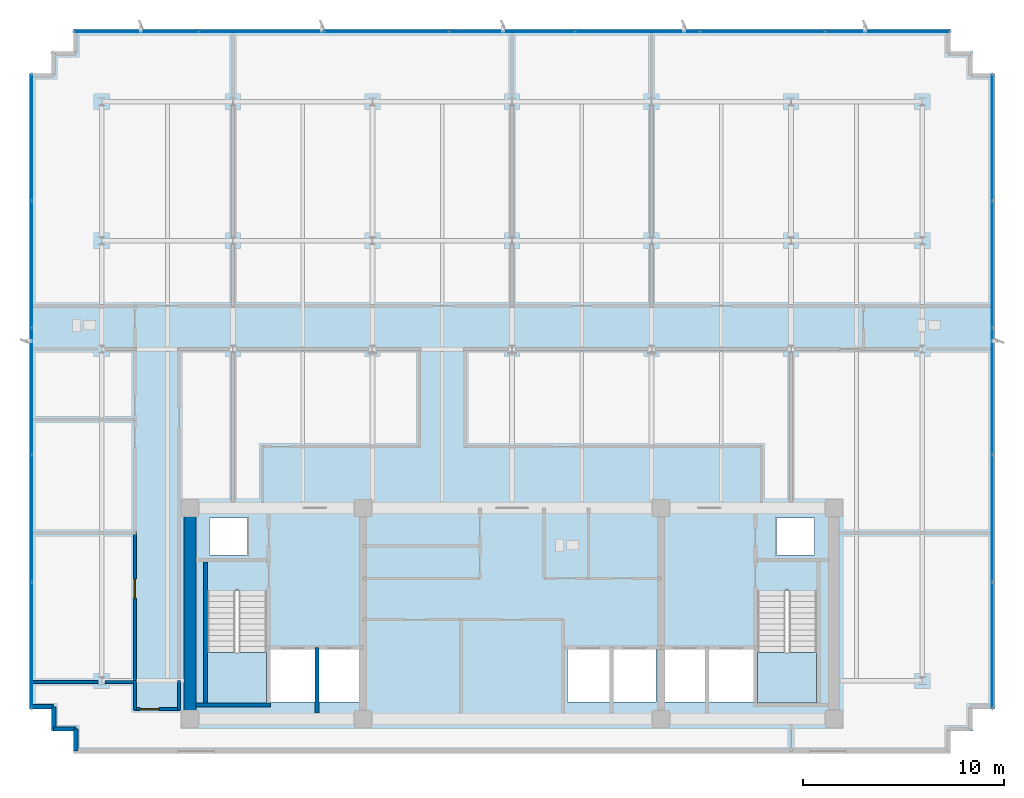
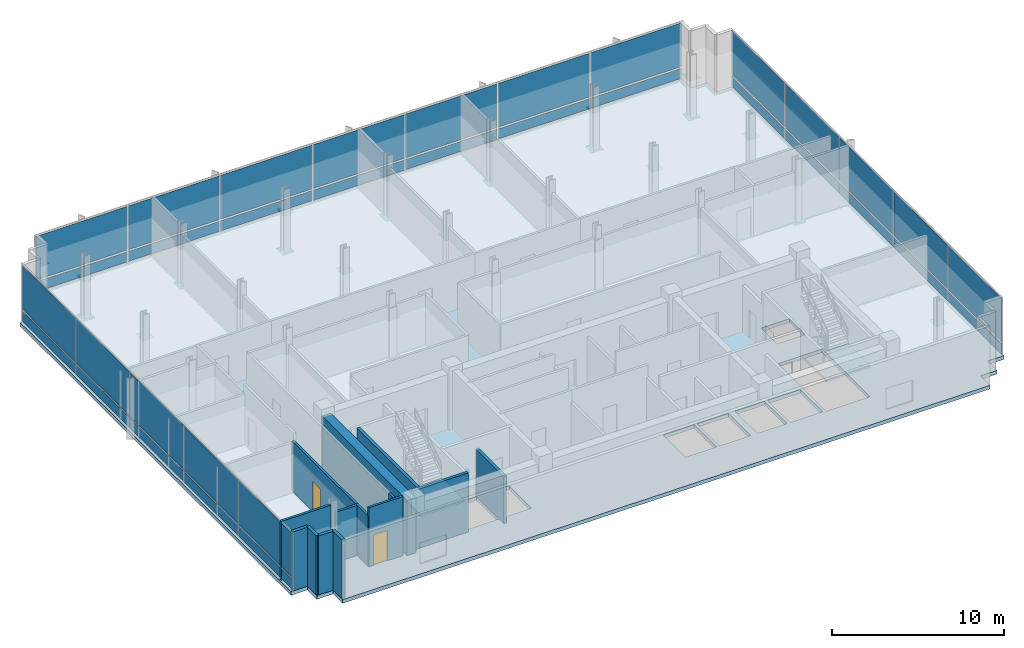
# One storey, part 9 of 17: 34 plates, 14 walls, 3 slabs, 2 doors, 2 openings, 5 elements without a shape of their own.
"""IFC4 building model written with IfcOpenShell, lengths in metres."""

from ifc_helpers import new_model, si_unit, direction, frame, frame_2d, origin, origin_2d, place, context, subcontext, project, spatial, polyline, rectangle, outline, extrude, material, layer, layer_set, type_object, element, fill, aggregate, save


model = new_model("IFC4")

# Units and contexts
model_context = context("Model", 3, precision=1e-05, world=origin(), true_north=direction((0.0, 1.0)))
body_context = subcontext(model_context, "Body", "Model", "MODEL_VIEW")
ifc_project = project(units=[si_unit("LENGTHUNIT", "METRE"), si_unit("AREAUNIT", "SQUARE_METRE"), si_unit("VOLUMEUNIT", "CUBIC_METRE"), si_unit("PLANEANGLEUNIT", "RADIAN"), si_unit("MASSUNIT", "GRAM", prefix="KILO")], contexts=[model_context])

# Site, building, storey
site_placement = place(None, origin())
site = spatial("IfcSite", under=ifc_project, at=site_placement, CompositionType="ELEMENT")
building_placement = place(site_placement, origin())
building = spatial("IfcBuilding", under=site, at=building_placement, Name="Solmavex Isthmus Hotel", CompositionType="ELEMENT")
storey_placement = place(building_placement, frame((0.0, 0.0, 286.800048828125)))
storey = spatial("IfcBuildingStorey", under=building, at=storey_placement, Name="L78", CompositionType="ELEMENT", Elevation=286.800048828125)

# Curtain wall, plates
ifc_material_1 = material(Name="Aluminium alloy 6063-T6", Category="aluminium")
curtain_wall_type = type_object("IfcCurtainWallType", Name="CW-SYS-05", PredefinedType="NOTDEFINED", material=ifc_material_1)
curtain_wall_1_placement = place(storey_placement, origin())
curtain_wall_1 = element("IfcCurtainWall", 1, at=curtain_wall_1_placement, inside=storey, type_object=curtain_wall_type, Name="Stick Curtain Wall CWL-L78-N1", PredefinedType="NOTDEFINED")
ifc_material_2 = material(Name="Clear low-E laminated glass", Category="glass")
ifc_layer_1 = layer(ifc_material_2, 0.0380859375)
ifc_layer_set_1 = layer_set([ifc_layer_1], Name="Clear low-E laminated glass")
plate_type = type_object("IfcPlateType", Name="CW-SYS-05-PNL", PredefinedType="CURTAIN_PANEL", material=ifc_layer_set_1)
plate_1_placement = place(storey_placement, frame((-18.66943359375, 21.179931640625, 0.125), z_axis=(0.0, 0.0, 1.0), x_axis=(1.0, 0.0, 0.0)))
plate_1 = element("IfcPlate", 2, at=plate_1_placement, type_object=plate_type, Name="CW-05 panel 1.1", PredefinedType="CURTAIN_PANEL", context=body_context, shape_type="SweptSolid", body=[
    extrude(rectangle(XDim=6.131103515625, YDim=0.0380859375, at=origin_2d()), origin(), (0.0, 0.0, 1.0), 0.71240234375),
])
plate_2_placement = place(storey_placement, frame((-18.66943359375, 21.179931640625, 0.96240234375), z_axis=(0.0, 0.0, 1.0), x_axis=(1.0, 0.0, 0.0)))
plate_2 = element("IfcPlate", 3, at=plate_2_placement, type_object=plate_type, Name="CW-05 panel 1.2", PredefinedType="CURTAIN_PANEL", context=body_context, shape_type="SweptSolid", body=[
    extrude(rectangle(XDim=6.131103515625, YDim=0.0380859375, at=origin_2d()), origin(), (0.0, 0.0, 1.0), 3.112548828125),
])
plate_3_placement = place(storey_placement, frame((-12.45703125, 21.179931640625, 0.125), z_axis=(0.0, 0.0, 1.0), x_axis=(1.0, 0.0, 0.0)))
plate_3 = element("IfcPlate", 4, at=plate_3_placement, type_object=plate_type, Name="CW-05 panel 2.1", PredefinedType="CURTAIN_PANEL", context=body_context, shape_type="SweptSolid", body=[
    extrude(rectangle(XDim=6.16357421875, YDim=0.0380859375, at=origin_2d()), origin(), (0.0, 0.0, 1.0), 0.71240234375),
])
plate_4_placement = place(storey_placement, frame((-12.45703125, 21.179931640625, 0.96240234375), z_axis=(0.0, 0.0, 1.0), x_axis=(1.0, 0.0, 0.0)))
plate_4 = element("IfcPlate", 5, at=plate_4_placement, type_object=plate_type, Name="CW-05 panel 2.2", PredefinedType="CURTAIN_PANEL", context=body_context, shape_type="SweptSolid", body=[
    extrude(rectangle(XDim=6.16357421875, YDim=0.0380859375, at=origin_2d()), origin(), (0.0, 0.0, 1.0), 3.112548828125),
])
plate_5_placement = place(storey_placement, frame((-6.228515625, 21.179931640625, 0.125), z_axis=(0.0, 0.0, 1.0), x_axis=(1.0, 0.0, 0.0)))
plate_5 = element("IfcPlate", 6, at=plate_5_placement, type_object=plate_type, Name="CW-05 panel 3.1", PredefinedType="CURTAIN_PANEL", context=body_context, shape_type="SweptSolid", body=[
    extrude(rectangle(XDim=6.16357421875, YDim=0.0380859375, at=origin_2d()), origin(), (0.0, 0.0, 1.0), 0.71240234375),
])
plate_6_placement = place(storey_placement, frame((-6.228515625, 21.179931640625, 0.96240234375), z_axis=(0.0, 0.0, 1.0), x_axis=(1.0, 0.0, 0.0)))
plate_6 = element("IfcPlate", 7, at=plate_6_placement, type_object=plate_type, Name="CW-05 panel 3.2", PredefinedType="CURTAIN_PANEL", context=body_context, shape_type="SweptSolid", body=[
    extrude(rectangle(XDim=6.16357421875, YDim=0.0380859375, at=origin_2d()), origin(), (0.0, 0.0, 1.0), 3.112548828125),
])
plate_7_placement = place(storey_placement, frame((0.0, 21.179931640625, 0.125), z_axis=(0.0, 0.0, 1.0), x_axis=(1.0, 0.0, 0.0)))
plate_7 = element("IfcPlate", 8, at=plate_7_placement, type_object=plate_type, Name="CW-05 panel 4.1", PredefinedType="CURTAIN_PANEL", context=body_context, shape_type="SweptSolid", body=[
    extrude(rectangle(XDim=6.16357421875, YDim=0.0380859375, at=origin_2d()), origin(), (0.0, 0.0, 1.0), 0.71240234375),
])
plate_8_placement = place(storey_placement, frame((0.0, 21.179931640625, 0.96240234375), z_axis=(0.0, 0.0, 1.0), x_axis=(1.0, 0.0, 0.0)))
plate_8 = element("IfcPlate", 9, at=plate_8_placement, type_object=plate_type, Name="CW-05 panel 4.2", PredefinedType="CURTAIN_PANEL", context=body_context, shape_type="SweptSolid", body=[
    extrude(rectangle(XDim=6.16357421875, YDim=0.0380859375, at=origin_2d()), origin(), (0.0, 0.0, 1.0), 3.112548828125),
])
plate_9_placement = place(storey_placement, frame((6.228515625, 21.179931640625, 0.125), z_axis=(0.0, 0.0, 1.0), x_axis=(1.0, 0.0, 0.0)))
plate_9 = element("IfcPlate", 10, at=plate_9_placement, type_object=plate_type, Name="CW-05 panel 5.1", PredefinedType="CURTAIN_PANEL", context=body_context, shape_type="SweptSolid", body=[
    extrude(rectangle(XDim=6.16357421875, YDim=0.0380859375, at=origin_2d()), origin(), (0.0, 0.0, 1.0), 0.71240234375),
])
plate_10_placement = place(storey_placement, frame((6.228515625, 21.179931640625, 0.96240234375), z_axis=(0.0, 0.0, 1.0), x_axis=(1.0, 0.0, 0.0)))
plate_10 = element("IfcPlate", 11, at=plate_10_placement, type_object=plate_type, Name="CW-05 panel 5.2", PredefinedType="CURTAIN_PANEL", context=body_context, shape_type="SweptSolid", body=[
    extrude(rectangle(XDim=6.16357421875, YDim=0.0380859375, at=origin_2d()), origin(), (0.0, 0.0, 1.0), 3.112548828125),
])
plate_11_placement = place(storey_placement, frame((12.45703125, 21.179931640625, 0.125), z_axis=(0.0, 0.0, 1.0), x_axis=(1.0, 0.0, 0.0)))
plate_11 = element("IfcPlate", 12, at=plate_11_placement, type_object=plate_type, Name="CW-05 panel 6.1", PredefinedType="CURTAIN_PANEL", context=body_context, shape_type="SweptSolid", body=[
    extrude(rectangle(XDim=6.16357421875, YDim=0.0380859375, at=origin_2d()), origin(), (0.0, 0.0, 1.0), 0.71240234375),
])
plate_12_placement = place(storey_placement, frame((12.45703125, 21.179931640625, 0.96240234375), z_axis=(0.0, 0.0, 1.0), x_axis=(1.0, 0.0, 0.0)))
plate_12 = element("IfcPlate", 13, at=plate_12_placement, type_object=plate_type, Name="CW-05 panel 6.2", PredefinedType="CURTAIN_PANEL", context=body_context, shape_type="SweptSolid", body=[
    extrude(rectangle(XDim=6.16357421875, YDim=0.0380859375, at=origin_2d()), origin(), (0.0, 0.0, 1.0), 3.112548828125),
])
plate_13_placement = place(storey_placement, frame((18.66943359375, 21.179931640625, 0.125), z_axis=(0.0, 0.0, 1.0), x_axis=(1.0, 0.0, 0.0)))
plate_13 = element("IfcPlate", 14, at=plate_13_placement, type_object=plate_type, Name="CW-05 panel 7.1", PredefinedType="CURTAIN_PANEL", context=body_context, shape_type="SweptSolid", body=[
    extrude(rectangle(XDim=6.131103515625, YDim=0.0380859375, at=origin_2d()), origin(), (0.0, 0.0, 1.0), 0.71240234375),
])
plate_14_placement = place(storey_placement, frame((18.66943359375, 21.179931640625, 0.96240234375), z_axis=(0.0, 0.0, 1.0), x_axis=(1.0, 0.0, 0.0)))
plate_14 = element("IfcPlate", 15, at=plate_14_placement, type_object=plate_type, Name="CW-05 panel 7.2", PredefinedType="CURTAIN_PANEL", context=body_context, shape_type="SweptSolid", body=[
    extrude(rectangle(XDim=6.131103515625, YDim=0.0380859375, at=origin_2d()), origin(), (0.0, 0.0, 1.0), 3.112548828125),
])
aggregate(curtain_wall_1, [plate_1, plate_2, plate_3, plate_4, plate_5, plate_6, plate_7, plate_8, plate_9, plate_10, plate_11, plate_12, plate_13, plate_14])

curtain_wall_2_placement = place(storey_placement, origin())
curtain_wall_2 = element("IfcCurtainWall", 16, at=curtain_wall_2_placement, inside=storey, type_object=curtain_wall_type, Name="Stick Curtain Wall CWL-L78-W1", PredefinedType="NOTDEFINED")
plate_15_placement = place(storey_placement, frame((-23.8798828125, -9.32373046875, 0.125), z_axis=(0.0, 0.0, 1.0), x_axis=(0.0, 1.0, 0.0)))
plate_15 = element("IfcPlate", 17, at=plate_15_placement, type_object=plate_type, Name="CW-05 panel 1.1", PredefinedType="CURTAIN_PANEL", context=body_context, shape_type="SweptSolid", body=[
    extrude(rectangle(XDim=6.222412109375, YDim=0.0380859375, at=origin_2d()), origin(), (0.0, 0.0, 1.0), 0.71240234375),
])
plate_16_placement = place(storey_placement, frame((-23.8798828125, -9.32373046875, 0.96240234375), z_axis=(0.0, 0.0, 1.0), x_axis=(0.0, 1.0, 0.0)))
plate_16 = element("IfcPlate", 18, at=plate_16_placement, type_object=plate_type, Name="CW-05 panel 1.2", PredefinedType="CURTAIN_PANEL", context=body_context, shape_type="SweptSolid", body=[
    extrude(rectangle(XDim=6.222412109375, YDim=0.0380859375, at=origin_2d()), origin(), (0.0, 0.0, 1.0), 3.112548828125),
])
plate_17_placement = place(storey_placement, frame((-23.8798828125, -3.02001953125, 0.125), z_axis=(0.0, 0.0, 1.0), x_axis=(0.0, 1.0, 0.0)))
plate_17 = element("IfcPlate", 19, at=plate_17_placement, type_object=plate_type, Name="CW-05 panel 2.1", PredefinedType="CURTAIN_PANEL", context=body_context, shape_type="SweptSolid", body=[
    extrude(rectangle(XDim=6.2548828125, YDim=0.0380859375, at=origin_2d()), origin(), (0.0, 0.0, 1.0), 0.71240234375),
])
plate_18_placement = place(storey_placement, frame((-23.8798828125, -3.02001953125, 0.96240234375), z_axis=(0.0, 0.0, 1.0), x_axis=(0.0, 1.0, 0.0)))
plate_18 = element("IfcPlate", 20, at=plate_18_placement, type_object=plate_type, Name="CW-05 panel 2.2", PredefinedType="CURTAIN_PANEL", context=body_context, shape_type="SweptSolid", body=[
    extrude(rectangle(XDim=6.2548828125, YDim=0.0380859375, at=origin_2d()), origin(), (0.0, 0.0, 1.0), 3.112548828125),
])
plate_19_placement = place(storey_placement, frame((-23.8798828125, 3.300048828125, 0.125), z_axis=(0.0, 0.0, 1.0), x_axis=(0.0, 1.0, 0.0)))
plate_19 = element("IfcPlate", 21, at=plate_19_placement, type_object=plate_type, Name="CW-05 panel 3.1", PredefinedType="CURTAIN_PANEL", context=body_context, shape_type="SweptSolid", body=[
    extrude(rectangle(XDim=6.2548828125, YDim=0.0380859375, at=origin_2d()), origin(), (0.0, 0.0, 1.0), 0.71240234375),
])
plate_20_placement = place(storey_placement, frame((-23.8798828125, 3.300048828125, 0.96240234375), z_axis=(0.0, 0.0, 1.0), x_axis=(0.0, 1.0, 0.0)))
plate_20 = element("IfcPlate", 22, at=plate_20_placement, type_object=plate_type, Name="CW-05 panel 3.2", PredefinedType="CURTAIN_PANEL", context=body_context, shape_type="SweptSolid", body=[
    extrude(rectangle(XDim=6.2548828125, YDim=0.0380859375, at=origin_2d()), origin(), (0.0, 0.0, 1.0), 3.112548828125),
])
plate_21_placement = place(storey_placement, frame((-23.8798828125, 9.6201171875, 0.125), z_axis=(0.0, 0.0, 1.0), x_axis=(0.0, 1.0, 0.0)))
plate_21 = element("IfcPlate", 23, at=plate_21_placement, type_object=plate_type, Name="CW-05 panel 4.1", PredefinedType="CURTAIN_PANEL", context=body_context, shape_type="SweptSolid", body=[
    extrude(rectangle(XDim=6.2548828125, YDim=0.0380859375, at=origin_2d()), origin(), (0.0, 0.0, 1.0), 0.71240234375),
])
plate_22_placement = place(storey_placement, frame((-23.8798828125, 9.6201171875, 0.96240234375), z_axis=(0.0, 0.0, 1.0), x_axis=(0.0, 1.0, 0.0)))
plate_22 = element("IfcPlate", 24, at=plate_22_placement, type_object=plate_type, Name="CW-05 panel 4.2", PredefinedType="CURTAIN_PANEL", context=body_context, shape_type="SweptSolid", body=[
    extrude(rectangle(XDim=6.2548828125, YDim=0.0380859375, at=origin_2d()), origin(), (0.0, 0.0, 1.0), 3.112548828125),
])
plate_23_placement = place(storey_placement, frame((-23.8798828125, 15.923828125, 0.125), z_axis=(0.0, 0.0, 1.0), x_axis=(0.0, 1.0, 0.0)))
plate_23 = element("IfcPlate", 25, at=plate_23_placement, type_object=plate_type, Name="CW-05 panel 5.1", PredefinedType="CURTAIN_PANEL", context=body_context, shape_type="SweptSolid", body=[
    extrude(rectangle(XDim=6.222412109375, YDim=0.0380859375, at=origin_2d()), origin(), (0.0, 0.0, 1.0), 0.71240234375),
])
plate_24_placement = place(storey_placement, frame((-23.8798828125, 15.923828125, 0.96240234375), z_axis=(0.0, 0.0, 1.0), x_axis=(0.0, 1.0, 0.0)))
plate_24 = element("IfcPlate", 26, at=plate_24_placement, type_object=plate_type, Name="CW-05 panel 5.2", PredefinedType="CURTAIN_PANEL", context=body_context, shape_type="SweptSolid", body=[
    extrude(rectangle(XDim=6.222412109375, YDim=0.0380859375, at=origin_2d()), origin(), (0.0, 0.0, 1.0), 3.112548828125),
])
aggregate(curtain_wall_2, [plate_15, plate_16, plate_17, plate_18, plate_19, plate_20, plate_21, plate_22, plate_23, plate_24])

curtain_wall_3_placement = place(storey_placement, origin())
curtain_wall_3 = element("IfcCurtainWall", 27, at=curtain_wall_3_placement, inside=storey, type_object=curtain_wall_type, Name="Stick Curtain Wall CWL-L78-E1", PredefinedType="NOTDEFINED")
plate_25_placement = place(storey_placement, frame((23.8798828125, -9.32373046875, 0.125), z_axis=(0.0, 0.0, 1.0), x_axis=(0.0, 1.0, 0.0)))
plate_25 = element("IfcPlate", 28, at=plate_25_placement, type_object=plate_type, Name="CW-05 panel 1.1", PredefinedType="CURTAIN_PANEL", context=body_context, shape_type="SweptSolid", body=[
    extrude(rectangle(XDim=6.222412109375, YDim=0.0380859375, at=origin_2d()), origin(), (0.0, 0.0, 1.0), 0.71240234375),
])
plate_26_placement = place(storey_placement, frame((23.8798828125, -9.32373046875, 0.96240234375), z_axis=(0.0, 0.0, 1.0), x_axis=(0.0, 1.0, 0.0)))
plate_26 = element("IfcPlate", 29, at=plate_26_placement, type_object=plate_type, Name="CW-05 panel 1.2", PredefinedType="CURTAIN_PANEL", context=body_context, shape_type="SweptSolid", body=[
    extrude(rectangle(XDim=6.222412109375, YDim=0.0380859375, at=origin_2d()), origin(), (0.0, 0.0, 1.0), 3.112548828125),
])
plate_27_placement = place(storey_placement, frame((23.8798828125, -3.02001953125, 0.125), z_axis=(0.0, 0.0, 1.0), x_axis=(0.0, 1.0, 0.0)))
plate_27 = element("IfcPlate", 30, at=plate_27_placement, type_object=plate_type, Name="CW-05 panel 2.1", PredefinedType="CURTAIN_PANEL", context=body_context, shape_type="SweptSolid", body=[
    extrude(rectangle(XDim=6.2548828125, YDim=0.0380859375, at=origin_2d()), origin(), (0.0, 0.0, 1.0), 0.71240234375),
])
plate_28_placement = place(storey_placement, frame((23.8798828125, -3.02001953125, 0.96240234375), z_axis=(0.0, 0.0, 1.0), x_axis=(0.0, 1.0, 0.0)))
plate_28 = element("IfcPlate", 31, at=plate_28_placement, type_object=plate_type, Name="CW-05 panel 2.2", PredefinedType="CURTAIN_PANEL", context=body_context, shape_type="SweptSolid", body=[
    extrude(rectangle(XDim=6.2548828125, YDim=0.0380859375, at=origin_2d()), origin(), (0.0, 0.0, 1.0), 3.112548828125),
])
plate_29_placement = place(storey_placement, frame((23.8798828125, 3.300048828125, 0.125), z_axis=(0.0, 0.0, 1.0), x_axis=(0.0, 1.0, 0.0)))
plate_29 = element("IfcPlate", 32, at=plate_29_placement, type_object=plate_type, Name="CW-05 panel 3.1", PredefinedType="CURTAIN_PANEL", context=body_context, shape_type="SweptSolid", body=[
    extrude(rectangle(XDim=6.2548828125, YDim=0.0380859375, at=origin_2d()), origin(), (0.0, 0.0, 1.0), 0.71240234375),
])
plate_30_placement = place(storey_placement, frame((23.8798828125, 3.300048828125, 0.96240234375), z_axis=(0.0, 0.0, 1.0), x_axis=(0.0, 1.0, 0.0)))
plate_30 = element("IfcPlate", 33, at=plate_30_placement, type_object=plate_type, Name="CW-05 panel 3.2", PredefinedType="CURTAIN_PANEL", context=body_context, shape_type="SweptSolid", body=[
    extrude(rectangle(XDim=6.2548828125, YDim=0.0380859375, at=origin_2d()), origin(), (0.0, 0.0, 1.0), 3.112548828125),
])
plate_31_placement = place(storey_placement, frame((23.8798828125, 9.6201171875, 0.125), z_axis=(0.0, 0.0, 1.0), x_axis=(0.0, 1.0, 0.0)))
plate_31 = element("IfcPlate", 34, at=plate_31_placement, type_object=plate_type, Name="CW-05 panel 4.1", PredefinedType="CURTAIN_PANEL", context=body_context, shape_type="SweptSolid", body=[
    extrude(rectangle(XDim=6.2548828125, YDim=0.0380859375, at=origin_2d()), origin(), (0.0, 0.0, 1.0), 0.71240234375),
])
plate_32_placement = place(storey_placement, frame((23.8798828125, 9.6201171875, 0.96240234375), z_axis=(0.0, 0.0, 1.0), x_axis=(0.0, 1.0, 0.0)))
plate_32 = element("IfcPlate", 35, at=plate_32_placement, type_object=plate_type, Name="CW-05 panel 4.2", PredefinedType="CURTAIN_PANEL", context=body_context, shape_type="SweptSolid", body=[
    extrude(rectangle(XDim=6.2548828125, YDim=0.0380859375, at=origin_2d()), origin(), (0.0, 0.0, 1.0), 3.112548828125),
])
plate_33_placement = place(storey_placement, frame((23.8798828125, 15.923828125, 0.125), z_axis=(0.0, 0.0, 1.0), x_axis=(0.0, 1.0, 0.0)))
plate_33 = element("IfcPlate", 36, at=plate_33_placement, type_object=plate_type, Name="CW-05 panel 5.1", PredefinedType="CURTAIN_PANEL", context=body_context, shape_type="SweptSolid", body=[
    extrude(rectangle(XDim=6.222412109375, YDim=0.0380859375, at=origin_2d()), origin(), (0.0, 0.0, 1.0), 0.71240234375),
])
plate_34_placement = place(storey_placement, frame((23.8798828125, 15.923828125, 0.96240234375), z_axis=(0.0, 0.0, 1.0), x_axis=(0.0, 1.0, 0.0)))
plate_34 = element("IfcPlate", 37, at=plate_34_placement, type_object=plate_type, Name="CW-05 panel 5.2", PredefinedType="CURTAIN_PANEL", context=body_context, shape_type="SweptSolid", body=[
    extrude(rectangle(XDim=6.222412109375, YDim=0.0380859375, at=origin_2d()), origin(), (0.0, 0.0, 1.0), 3.112548828125),
])
aggregate(curtain_wall_3, [plate_25, plate_26, plate_27, plate_28, plate_29, plate_30, plate_31, plate_32, plate_33, plate_34])

# Slab
ifc_material_3 = material(Name="Concrete C40/50", Category="concrete")
ifc_layer_2 = layer(ifc_material_3, 0.260009765625)
ifc_layer_set_2 = layer_set([ifc_layer_2], Name="Concrete C40/50")
slab_type_1 = type_object("IfcSlabType", Name="SLAB-TYP-260", PredefinedType="FLOOR", material=ifc_layer_set_2)
slab_1_placement = place(storey_placement, frame((0.0, 0.0, -0.260009765625)))
element("IfcSlab", 38, at=slab_1_placement, inside=storey, type_object=slab_type_1, Name="Tower Structural Floor Slab L78", PredefinedType="FLOOR", context=body_context, shape_type="SweptSolid", body=[
    extrude(outline(polyline([(-20.699951171875, -14.699951171875), (20.699951171875, -14.699951171875), (21.800048828125, -14.699951171875), (21.800048828125, -13.60009765625), (22.89990234375, -13.60009765625), (22.89990234375, -12.5), (24.0, -12.5), (24.0, -11.39990234375), (24.0, 18.0), (24.0, 19.10009765625), (22.89990234375, 19.10009765625), (22.89990234375, 20.199951171875), (21.800048828125, 20.199951171875), (21.800048828125, 21.300048828125), (20.699951171875, 21.300048828125), (-20.699951171875, 21.300048828125), (-21.800048828125, 21.300048828125), (-21.800048828125, 20.199951171875), (-22.89990234375, 20.199951171875), (-22.89990234375, 19.10009765625), (-24.0, 19.10009765625), (-24.0, 18.0), (-24.0, -11.39990234375), (-24.0, -12.5), (-22.89990234375, -12.5), (-22.89990234375, -13.60009765625), (-21.800048828125, -13.60009765625), (-21.800048828125, -14.699951171875), (-20.699951171875, -14.699951171875)]), holes=[polyline([(-15.14990234375, -6.617919921875), (-15.14990234375, -12.199951171875), (-12.199951171875, -12.199951171875), (-12.199951171875, -6.617919921875), (-15.14990234375, -6.617919921875)]), polyline([(12.199951171875, -6.617919921875), (12.199951171875, -12.199951171875), (15.14990234375, -12.199951171875), (15.14990234375, -6.617919921875), (12.199951171875, -6.617919921875)]), polyline([(-12.0, -12.14990234375), (-9.800048828125, -12.14990234375), (-9.800048828125, -9.550048828125), (-12.0, -9.550048828125), (-12.0, -12.14990234375)]), polyline([(9.800048828125, -12.14990234375), (12.0, -12.14990234375), (12.0, -9.550048828125), (9.800048828125, -9.550048828125), (9.800048828125, -12.14990234375)]), polyline([(-9.60009765625, -12.14990234375), (-7.60009765625, -12.14990234375), (-7.60009765625, -9.550048828125), (-9.60009765625, -9.550048828125), (-9.60009765625, -12.14990234375)]), polyline([(7.60009765625, -12.14990234375), (9.60009765625, -12.14990234375), (9.60009765625, -9.550048828125), (7.60009765625, -9.550048828125), (7.60009765625, -12.14990234375)]), polyline([(2.75, -12.14990234375), (4.85009765625, -12.14990234375), (4.85009765625, -9.550048828125), (2.75, -9.550048828125), (2.75, -12.14990234375)]), polyline([(5.050048828125, -12.14990234375), (7.14990234375, -12.14990234375), (7.14990234375, -9.550048828125), (5.050048828125, -9.550048828125), (5.050048828125, -12.14990234375)]), polyline([(-15.050048828125, -4.85009765625), (-13.14990234375, -4.85009765625), (-13.14990234375, -3.0), (-15.050048828125, -3.0), (-15.050048828125, -4.85009765625)]), polyline([(13.14990234375, -4.85009765625), (15.050048828125, -4.85009765625), (15.050048828125, -3.0), (13.14990234375, -3.0), (13.14990234375, -4.85009765625)])]), origin(), (0.0, 0.0, 1.0), 0.260009765625),
])

# Stair, slab
stair_type_1 = type_object("IfcStairType", Name="STR-ST-1", PredefinedType="HALF_TURN_STAIR", material=ifc_material_3)
stair_1_placement = place(storey_placement, origin())
stair_1 = element("IfcStair", 39, at=stair_1_placement, inside=storey, type_object=stair_type_1, Name="L78 Protected Exit Stair ST-1", PredefinedType="HALF_TURN_STAIR")
ifc_layer_3 = layer(ifc_material_3, 0.219970703125)
ifc_layer_set_3 = layer_set([ifc_layer_3], Name="Concrete C40/50")
slab_type_2 = type_object("IfcSlabType", Name="SLD-ST-1", PredefinedType="LANDING", material=ifc_layer_set_3)
slab_2_placement = place(storey_placement, frame((0.0, 0.0, 2.050048828125)))
slab_2 = element("IfcSlab", 40, at=slab_2_placement, type_object=slab_type_2, Name="ST-1 landing 1", PredefinedType="LANDING", context=body_context, shape_type="SweptSolid", body=[
    extrude(outline(polyline([(-15.14990234375, -9.679931640625), (-15.14990234375, -12.199951171875), (-12.199951171875, -12.199951171875), (-12.199951171875, -9.679931640625), (-15.14990234375, -9.679931640625)])), origin(), (0.0, 0.0, 1.0), 0.199951171875),
])
aggregate(stair_1, [slab_2])

stair_type_2 = type_object("IfcStairType", Name="STR-ST-2", PredefinedType="HALF_TURN_STAIR", material=ifc_material_3)
stair_2_placement = place(storey_placement, origin())
stair_2 = element("IfcStair", 41, at=stair_2_placement, inside=storey, type_object=stair_type_2, Name="L78 Protected Exit Stair ST-2", PredefinedType="HALF_TURN_STAIR")
ifc_layer_4 = layer(ifc_material_3, 0.219970703125)
ifc_layer_set_4 = layer_set([ifc_layer_4], Name="Concrete C40/50")
slab_type_3 = type_object("IfcSlabType", Name="SLD-ST-2", PredefinedType="LANDING", material=ifc_layer_set_4)
slab_3_placement = place(storey_placement, frame((0.0, 0.0, 2.050048828125)))
slab_3 = element("IfcSlab", 42, at=slab_3_placement, type_object=slab_type_3, Name="ST-2 landing 1", PredefinedType="LANDING", context=body_context, shape_type="SweptSolid", body=[
    extrude(outline(polyline([(12.199951171875, -9.679931640625), (12.199951171875, -12.199951171875), (15.14990234375, -12.199951171875), (15.14990234375, -9.679931640625), (12.199951171875, -9.679931640625)])), origin(), (0.0, 0.0, 1.0), 0.199951171875),
])
aggregate(stair_2, [slab_3])

# Walls
ifc_material_4 = material(Name="Precast Concrete C40/50", Category="concrete")
ifc_layer_5 = layer(ifc_material_4, 0.25)
ifc_layer_set_5 = layer_set([ifc_layer_5], Name="Precast Concrete C40/50")
wall_type_1 = type_object("IfcWallType", Name="EW-TWR-250", PredefinedType="STANDARD", material=ifc_layer_set_5)
for number, where, z_axis, x_axis, name in (
    (43, (-21.68994140625, -14.590087890625, 0.0), (0.0, 0.0, 1.0), (0.0, 1.0, 0.0), "Serrated Corner Facade Panel L78-01"),
    (44, (-21.68994140625, -13.489990234375, 0.0), (0.0, 0.0, 1.0), (-1.0, 0.0, 0.0), "Serrated Corner Facade Panel L78-02"),
    (45, (-22.7900390625, -13.489990234375, 0.0), (0.0, 0.0, 1.0), (0.0, 1.0, 0.0), "Serrated Corner Facade Panel L78-03"),
):
    element("IfcWall", number, at=place(storey_placement, frame(where, z_axis=z_axis, x_axis=x_axis)), inside=storey, type_object=wall_type_1, Name=name, PredefinedType="STANDARD", context=body_context, shape_type="SweptSolid", body=[
        extrude(rectangle(XDim=1.10009765625, YDim=0.219970703125, at=frame_2d((0.550048828125, 0.0))), origin(), (0.0, 0.0, 1.0), 4.199951171875),
    ])
wall_1_placement = place(storey_placement, frame((-22.7900390625, -12.389892578125, 0.0), z_axis=(0.0, 0.0, 1.0), x_axis=(-1.0, 0.0, 0.0)))
element("IfcWall", 46, at=wall_1_placement, inside=storey, type_object=wall_type_1, Name="Serrated Corner Facade Panel L78-04", PredefinedType="STANDARD", context=body_context, shape_type="SweptSolid", body=[
    extrude(rectangle(XDim=1.099853515625, YDim=0.219970703125, at=frame_2d((0.5498046875, 0.0))), origin(), (0.0, 0.0, 1.0), 4.199951171875),
])
ifc_material_5 = material(Name="Gypsum plasterboard lining", Category="gypsum")
ifc_layer_6 = layer(ifc_material_5, 0.159912109375)
ifc_layer_set_6 = layer_set([ifc_layer_6], Name="Gypsum plasterboard lining")
wall_type_2 = type_object("IfcWallType", Name="IW-COMP-160", PredefinedType="PARTITIONING", material=ifc_layer_set_6)
wall_2_placement = place(storey_placement, frame((-20.574951171875, -11.14990234375, 0.0), z_axis=(0.0, 0.0, 1.0), x_axis=(-1.0, 0.0, 0.0)))
element("IfcWall", 47, at=wall_2_placement, inside=storey, type_object=wall_type_2, Name="Interior Partition Wall W-L78-P048", PredefinedType="PARTITIONING", context=body_context, shape_type="SweptSolid", body=[
    extrude(rectangle(XDim=3.344970703125, YDim=0.159912109375, at=frame_2d((1.67236328125, 0.0))), origin(), (0.0, 0.0, 1.0), 4.199951171875),
])
wall_3_placement = place(storey_placement, frame((-18.7099609375, -11.14990234375, 0.0), z_axis=(0.0, 0.0, 1.0), x_axis=(-1.0, 0.0, 0.0)))
element("IfcWall", 48, at=wall_3_placement, inside=storey, type_object=wall_type_2, Name="Interior Partition Wall W-L78-P049", PredefinedType="PARTITIONING", context=body_context, shape_type="SweptSolid", body=[
    extrude(rectangle(XDim=1.51513671875, YDim=0.159912109375, at=frame_2d((0.757568359375, 0.0))), origin(), (0.0, 0.0, 1.0), 3.5673828125),
])

# Wall, opening, door
ifc_layer_7 = layer(ifc_material_5, 0.14990234375)
ifc_layer_set_7 = layer_set([ifc_layer_7], Name="Gypsum plasterboard lining")
wall_type_3 = type_object("IfcWallType", Name="IW-CORR-150", PredefinedType="PARTITIONING", material=ifc_layer_set_7)
wall_4_placement = place(storey_placement, frame((-18.75, -11.23193359375, 0.0), z_axis=(0.0, 0.0, 1.0), x_axis=(0.0, 1.0, 0.0)))
wall_4 = element("IfcWall", 49, at=wall_4_placement, inside=storey, type_object=wall_type_3, Name="Interior Partition Wall W-L78-P011", PredefinedType="PARTITIONING", context=body_context, shape_type="SweptSolid", body=[
    extrude(rectangle(XDim=7.56396484375, YDim=0.14990234375, at=frame_2d((3.781982421875, 0.0))), origin(), (0.0, 0.0, 1.0), 3.5673828125),
])
opening_1_placement = place(wall_4_placement, frame((4.25, 0.0, 0.0)))
opening_1 = element("IfcOpeningElement", 50, at=opening_1_placement, cuts=wall_4, Name="Opening ID-C095", PredefinedType="OPENING", context=body_context, shape_type="SweptSolid", body=[
    extrude(rectangle(XDim=0.949951171875, YDim=2.14990234375, at=frame_2d((0.47509765625, 1.074951171875))), frame((0.0, 0.0849609375, 0.0), z_axis=(0.0, -1.0, 0.0), x_axis=(1.0, 0.0, 0.0)), (0.0, 0.0, 1.0), 0.169921875),
])
ifc_material_6 = material(Name="Hardwood timber", Category="wood")
door_type = type_object("IfcDoorType", Name="IDR-FD60-0950", OperationType="NOTDEFINED", PredefinedType="DOOR", material=ifc_material_6)
door_1_placement = place(opening_1_placement, origin())
door_1 = element("IfcDoor", 51, at=door_1_placement, inside=storey, type_object=door_type, Name="VIP Boardroom Door L78-10", OperationType="SINGLE_SWING_RIGHT", OverallHeight=2.14990234375, OverallWidth=0.949951171875, PredefinedType="DOOR", context=body_context, shape_type="SweptSolid", body=[
    extrude(rectangle(XDim=0.949951171875, YDim=2.14990234375, at=frame_2d((0.47509765625, 1.074951171875))), frame((0.0, 0.02490234375, 0.0), z_axis=(0.0, -1.0, 0.0), x_axis=(1.0, 0.0, 0.0)), (0.0, 0.0, 1.0), 0.050048828125),
])
fill(opening_1, door_1)

# Wall
wall_5_placement = place(storey_placement, frame((-16.550048828125, -11.068115234375, 0.0), z_axis=(0.0, 0.0, 1.0), x_axis=(0.0, -1.0, 0.0)))
element("IfcWall", 52, at=wall_5_placement, inside=storey, type_object=wall_type_3, Name="Interior Partition Wall W-L78-P018", PredefinedType="PARTITIONING", context=body_context, shape_type="SweptSolid", body=[
    extrude(rectangle(XDim=1.471923828125, YDim=0.14990234375, at=frame_2d((0.73583984375, 0.0))), origin(), (0.0, 0.0, 1.0), 3.5673828125),
])

# Wall, opening, door
wall_6_placement = place(storey_placement, frame((-16.510009765625, -12.5, 0.0), z_axis=(0.0, 0.0, 1.0), x_axis=(-1.0, 0.0, 0.0)))
wall_6 = element("IfcWall", 53, at=wall_6_placement, inside=storey, type_object=wall_type_3, Name="Interior Partition Wall W-L78-P019", PredefinedType="PARTITIONING", context=body_context, shape_type="SweptSolid", body=[
    extrude(rectangle(XDim=2.280029296875, YDim=0.14990234375, at=frame_2d((1.14013671875, 0.0))), origin(), (0.0, 0.0, 1.0), 4.199951171875),
])
opening_2_placement = place(wall_6_placement, frame((1.03466796875, 0.0, 0.0)))
opening_2 = element("IfcOpeningElement", 54, at=opening_2_placement, cuts=wall_6, Name="Opening ID-C095", PredefinedType="OPENING", context=body_context, shape_type="SweptSolid", body=[
    extrude(rectangle(XDim=0.949951171875, YDim=2.14990234375, at=frame_2d((0.47509765625, 1.074951171875))), frame((0.0, 0.0849609375, 0.0), z_axis=(0.0, -1.0, 0.0), x_axis=(1.0, 0.0, 0.0)), (0.0, 0.0, 1.0), 0.169921875),
])
door_2_placement = place(opening_2_placement, frame((0.949951171875, 0.0, 0.0), z_axis=(0.0, 0.0, 1.0), x_axis=(-1.0, 0.0, 0.0)))
door_2 = element("IfcDoor", 55, at=door_2_placement, inside=storey, type_object=door_type, Name="VIP Boardroom Door L78-12", OperationType="SINGLE_SWING_RIGHT", OverallHeight=2.14990234375, OverallWidth=0.949951171875, PredefinedType="DOOR", context=body_context, shape_type="SweptSolid", body=[
    extrude(rectangle(XDim=0.949951171875, YDim=2.14990234375, at=frame_2d((0.47509765625, 1.074951171875))), frame((0.0, 0.02490234375, 0.0), z_axis=(0.0, -1.0, 0.0), x_axis=(1.0, 0.0, 0.0)), (0.0, 0.0, 1.0), 0.050048828125),
])
fill(opening_2, door_2)

# Walls
wall_7_placement = place(storey_placement, frame((-18.75, -12.5400390625, 0.0), z_axis=(0.0, 0.0, 1.0), x_axis=(0.0, 1.0, 0.0)))
element("IfcWall", 56, at=wall_7_placement, inside=storey, type_object=wall_type_3, Name="Interior Partition Wall W-L78-P020", PredefinedType="PARTITIONING", context=body_context, shape_type="SweptSolid", body=[
    extrude(rectangle(XDim=1.471923828125, YDim=0.14990234375, at=frame_2d((0.73583984375, 0.0))), origin(), (0.0, 0.0, 1.0), 3.5673828125),
])
ifc_layer_8 = layer(ifc_material_3, 0.199951171875)
ifc_layer_set_8 = layer_set([ifc_layer_8], Name="Concrete C40/50")
wall_type_4 = type_object("IfcWallType", Name="IW-SHAFT-200", PredefinedType="PARTITIONING", material=ifc_layer_set_8)
wall_8_placement = place(storey_placement, frame((-9.699951171875, -12.699951171875, 0.0), z_axis=(0.0, 0.0, 1.0), x_axis=(0.0, 1.0, 0.0)))
element("IfcWall", 57, at=wall_8_placement, inside=storey, type_object=wall_type_4, Name="Interior Partition Wall W-L78-FFLW-M", PredefinedType="PARTITIONING", context=body_context, shape_type="SweptSolid", body=[
    extrude(rectangle(XDim=3.25, YDim=0.199951171875, at=frame_2d((1.625, 0.0))), origin(), (0.0, 0.0, 1.0), 3.3349609375),
])
ifc_material_7 = material(Name="Concrete C50/60", Category="concrete")
ifc_layer_9 = layer(ifc_material_7, 0.60009765625)
ifc_layer_set_9 = layer_set([ifc_layer_9], Name="Concrete C50/60")
wall_type_5 = type_object("IfcWallType", Name="WALL-CW-600", PredefinedType="SHEAR", material=ifc_layer_set_9)
wall_9_placement = place(storey_placement, frame((-16.0, -12.699951171875, 0.0), z_axis=(0.0, 0.0, 1.0), x_axis=(0.0, 1.0, 0.0)))
element("IfcWall", 58, at=wall_9_placement, inside=storey, type_object=wall_type_5, Name="Core Shear Wall West L78", PredefinedType="SHEAR", context=body_context, shape_type="SweptSolid", body=[
    extrude(rectangle(XDim=9.89990234375, YDim=0.60009765625, at=frame_2d((4.949951171875, 0.0))), origin(), (0.0, 0.0, 1.0), 3.919921875),
])
ifc_layer_10 = layer(ifc_material_3, 0.199951171875)
ifc_layer_set_10 = layer_set([ifc_layer_10], Name="Concrete C40/50")
wall_type_6 = type_object("IfcWallType", Name="WALL-SW-200", PredefinedType="SOLIDWALL", material=ifc_layer_set_10)
wall_10_placement = place(storey_placement, frame((-15.699951171875, -12.300048828125, 0.0), z_axis=(0.0, 0.0, 1.0), x_axis=(1.0, 0.0, 0.0)))
element("IfcWall", 59, at=wall_10_placement, inside=storey, type_object=wall_type_6, Name="Stairwell Structural Wall SW-L78-ST1-S", PredefinedType="SOLIDWALL", context=body_context, shape_type="SweptSolid", body=[
    extrude(rectangle(XDim=3.699951171875, YDim=0.199951171875, at=frame_2d((1.85009765625, 0.0))), origin(), (0.0, 0.0, 1.0), 4.199951171875),
])
wall_11_placement = place(storey_placement, frame((-15.25, -12.199951171875, 0.0), z_axis=(0.0, 0.0, 1.0), x_axis=(0.0, 1.0, 0.0)))
element("IfcWall", 60, at=wall_11_placement, inside=storey, type_object=wall_type_6, Name="Stairwell Structural Wall SW-L78-ST1-W", PredefinedType="SOLIDWALL", context=body_context, shape_type="SweptSolid", body=[
    extrude(rectangle(XDim=7.0, YDim=0.199951171875, at=frame_2d((3.5, 0.0))), origin(), (0.0, 0.0, 1.0), 4.199951171875),
])

save(model, "model.ifc")
